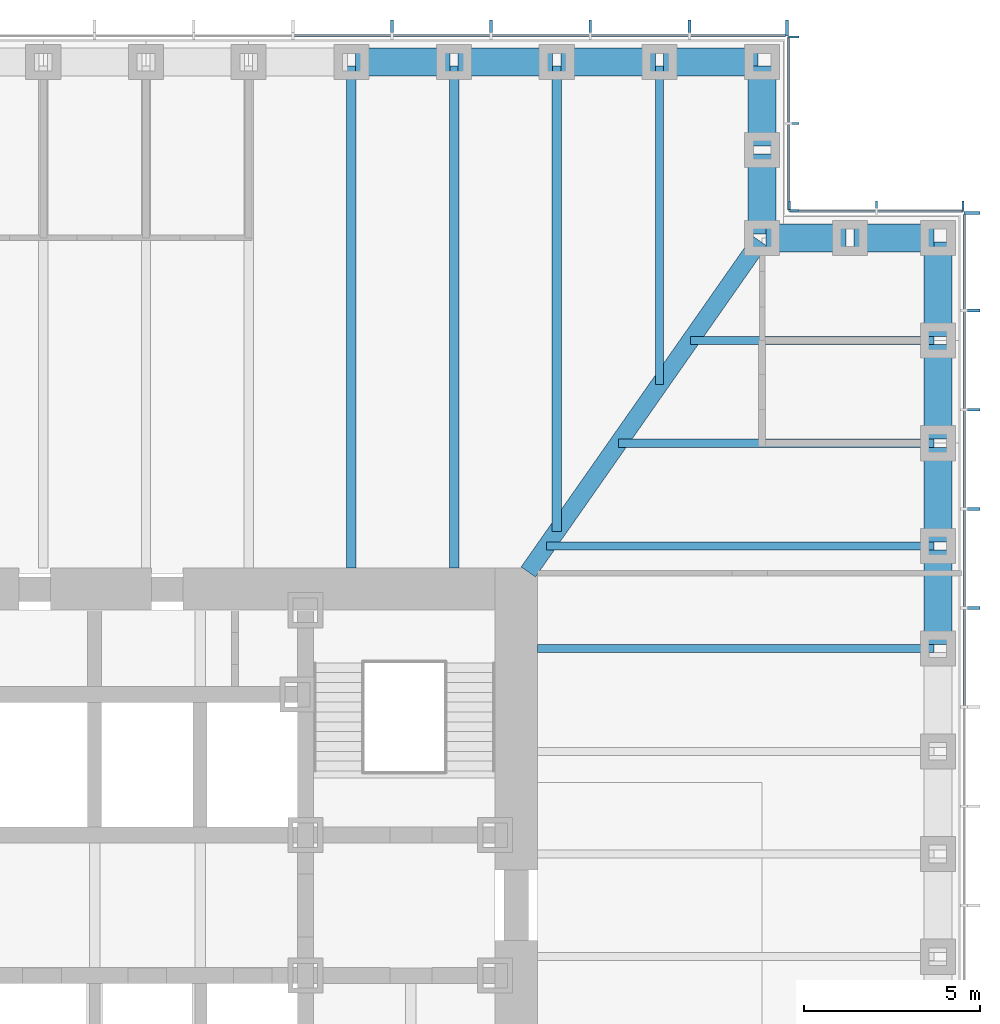
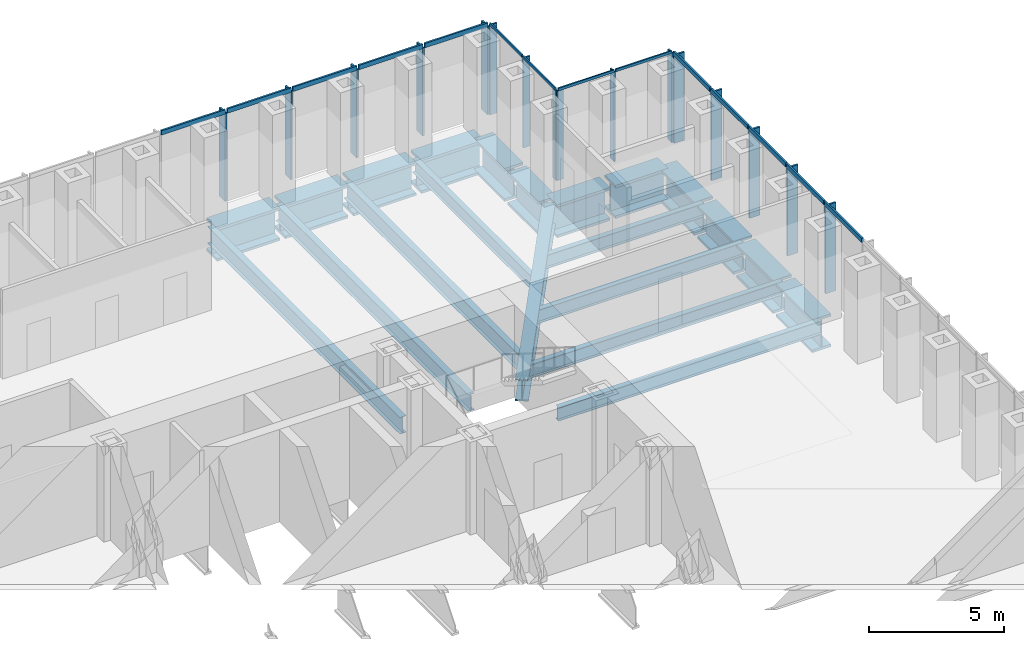
# One storey, part 6 of 16: 30 members, 21 beams, 4 elements without a shape of their own.
"""IFC4 building model written with IfcOpenShell, lengths in metres."""

from ifc_helpers import new_model, si_unit, direction, frame, origin, origin_2d, place, context, subcontext, project, spatial, rectangle, i_section, extrude, material, material_profile, profile_set, type_object, element, aggregate, save


model = new_model("IFC4")

# Units and contexts
model_context = context("Model", 3, precision=1e-05, world=origin(), true_north=direction((0.0, 1.0)))
body_context = subcontext(model_context, "Body", "Model", "MODEL_VIEW")
ifc_project = project(units=[si_unit("LENGTHUNIT", "METRE"), si_unit("AREAUNIT", "SQUARE_METRE"), si_unit("VOLUMEUNIT", "CUBIC_METRE"), si_unit("PLANEANGLEUNIT", "RADIAN"), si_unit("MASSUNIT", "GRAM", prefix="KILO")], contexts=[model_context])

# Site, building, storey
site_placement = place(None, origin())
site = spatial("IfcSite", under=ifc_project, at=site_placement, CompositionType="ELEMENT")
building_placement = place(site_placement, origin())
building = spatial("IfcBuilding", under=site, at=building_placement, Name="Daluyong Arena Tower", CompositionType="ELEMENT")
storey_placement = place(building_placement, frame((0.0, 0.0, 47.5)))
storey = spatial("IfcBuildingStorey", under=building, at=storey_placement, Name="L09", CompositionType="ELEMENT", Elevation=47.5)

# Curtain wall, members
ifc_material_1 = material(Name="Bronze anodised aluminium and glass", Category="aluminium")
curtain_wall_type_1 = type_object("IfcCurtainWallType", Name="Curtain wall CW1", PredefinedType="USERDEFINED", material=ifc_material_1)
curtain_wall_1_placement = place(storey_placement, origin())
curtain_wall_1 = element("IfcCurtainWall", 1, at=curtain_wall_1_placement, inside=storey, type_object=curtain_wall_type_1, Name="curtain wall L09 E", ObjectType="UNITISED CURTAIN WALL", PredefinedType="USERDEFINED")
ifc_material_2 = material(Name="Bronze anodised aluminium fin", Category="aluminium")
ifc_material_profile_1 = material_profile(ifc_material_2, rectangle(XDim=0.449951171875, YDim=0.080078125, at=origin_2d()))
ifc_profile_set_1 = profile_set([ifc_material_profile_1], Name="Bronze anodised aluminium fin")
member_type_1 = type_object("IfcMemberType", Name="CW1 bronze fin 450x80", PredefinedType="MULLION", material=ifc_profile_set_1)
member_1_placement = place(storey_placement, frame((80.97509765625, 88.46435546875, 0.0), z_axis=(0.0, 0.0, 1.0), x_axis=(-1.0, 0.0, 0.0)))
member_1 = element("IfcMember", 2, at=member_1_placement, type_object=member_type_1, Name="curtain wall L09 E fin 11", PredefinedType="MULLION", context=body_context, shape_type="SweptSolid", body=[
    extrude(rectangle(XDim=0.449951171875, YDim=0.080078125, at=origin_2d()), origin(), (0.0, 0.0, 1.0), 4.0),
])
member_2_placement = place(storey_placement, frame((80.97509765625, 91.28564453125, 0.0), z_axis=(0.0, 0.0, 1.0), x_axis=(-1.0, 0.0, 0.0)))
member_2 = element("IfcMember", 3, at=member_2_placement, type_object=member_type_1, Name="curtain wall L09 E fin 12", PredefinedType="MULLION", context=body_context, shape_type="SweptSolid", body=[
    extrude(rectangle(XDim=0.449951171875, YDim=0.080078125, at=origin_2d()), origin(), (0.0, 0.0, 1.0), 4.0),
])
member_3_placement = place(storey_placement, frame((80.97509765625, 94.107177734375, 0.0), z_axis=(0.0, 0.0, 1.0), x_axis=(-1.0, 0.0, 0.0)))
member_3 = element("IfcMember", 4, at=member_3_placement, type_object=member_type_1, Name="curtain wall L09 E fin 13", PredefinedType="MULLION", context=body_context, shape_type="SweptSolid", body=[
    extrude(rectangle(XDim=0.449951171875, YDim=0.080078125, at=origin_2d()), origin(), (0.0, 0.0, 1.0), 4.0),
])
member_4_placement = place(storey_placement, frame((80.97509765625, 96.928466796875, 0.0), z_axis=(0.0, 0.0, 1.0), x_axis=(-1.0, 0.0, 0.0)))
member_4 = element("IfcMember", 5, at=member_4_placement, type_object=member_type_1, Name="curtain wall L09 E fin 14", PredefinedType="MULLION", context=body_context, shape_type="SweptSolid", body=[
    extrude(rectangle(XDim=0.449951171875, YDim=0.080078125, at=origin_2d()), origin(), (0.0, 0.0, 1.0), 4.0),
])
member_5_placement = place(storey_placement, frame((80.97509765625, 99.7099609375, 0.0), z_axis=(0.0, 0.0, 1.0), x_axis=(-1.0, 0.0, 0.0)))
member_5 = element("IfcMember", 6, at=member_5_placement, type_object=member_type_1, Name="curtain wall L09 E fin 15", PredefinedType="MULLION", context=body_context, shape_type="SweptSolid", body=[
    extrude(rectangle(XDim=0.449951171875, YDim=0.080078125, at=origin_2d()), origin(), (0.0, 0.0, 1.0), 4.0),
])

curtain_wall_2_placement = place(storey_placement, origin())
curtain_wall_2 = element("IfcCurtainWall", 7, at=curtain_wall_2_placement, inside=storey, type_object=curtain_wall_type_1, Name="curtain wall L09 N", ObjectType="UNITISED CURTAIN WALL", PredefinedType="USERDEFINED")
member_6_placement = place(storey_placement, frame((75.7099609375, 104.97509765625, 0.0), z_axis=(0.0, 0.0, 1.0), x_axis=(0.0, -1.0, 0.0)))
member_6 = element("IfcMember", 8, at=member_6_placement, type_object=member_type_1, Name="curtain wall L09 N fin 1", PredefinedType="MULLION", context=body_context, shape_type="SweptSolid", body=[
    extrude(rectangle(XDim=0.449951171875, YDim=0.080078125, at=origin_2d()), origin(), (0.0, 0.0, 1.0), 4.0),
])
member_7_placement = place(storey_placement, frame((72.928466796875, 104.97509765625, 0.0), z_axis=(0.0, 0.0, 1.0), x_axis=(0.0, -1.0, 0.0)))
member_7 = element("IfcMember", 9, at=member_7_placement, type_object=member_type_1, Name="curtain wall L09 N fin 2", PredefinedType="MULLION", context=body_context, shape_type="SweptSolid", body=[
    extrude(rectangle(XDim=0.449951171875, YDim=0.080078125, at=origin_2d()), origin(), (0.0, 0.0, 1.0), 4.0),
])
member_8_placement = place(storey_placement, frame((70.107177734375, 104.97509765625, 0.0), z_axis=(0.0, 0.0, 1.0), x_axis=(0.0, -1.0, 0.0)))
member_8 = element("IfcMember", 10, at=member_8_placement, type_object=member_type_1, Name="curtain wall L09 N fin 3", PredefinedType="MULLION", context=body_context, shape_type="SweptSolid", body=[
    extrude(rectangle(XDim=0.449951171875, YDim=0.080078125, at=origin_2d()), origin(), (0.0, 0.0, 1.0), 4.0),
])
member_9_placement = place(storey_placement, frame((67.28564453125, 104.97509765625, 0.0), z_axis=(0.0, 0.0, 1.0), x_axis=(0.0, -1.0, 0.0)))
member_9 = element("IfcMember", 11, at=member_9_placement, type_object=member_type_1, Name="curtain wall L09 N fin 4", PredefinedType="MULLION", context=body_context, shape_type="SweptSolid", body=[
    extrude(rectangle(XDim=0.449951171875, YDim=0.080078125, at=origin_2d()), origin(), (0.0, 0.0, 1.0), 4.0),
])
member_10_placement = place(storey_placement, frame((64.46435546875, 104.97509765625, 0.0), z_axis=(0.0, 0.0, 1.0), x_axis=(0.0, -1.0, 0.0)))
member_10 = element("IfcMember", 12, at=member_10_placement, type_object=member_type_1, Name="curtain wall L09 N fin 5", PredefinedType="MULLION", context=body_context, shape_type="SweptSolid", body=[
    extrude(rectangle(XDim=0.449951171875, YDim=0.080078125, at=origin_2d()), origin(), (0.0, 0.0, 1.0), 4.0),
])

# Member
ifc_material_3 = material(Name="Bronze anodised aluminium", Category="aluminium")
ifc_material_profile_2 = material_profile(ifc_material_3, rectangle(XDim=0.080078125, YDim=0.199951171875, at=origin_2d()))
ifc_profile_set_2 = profile_set([ifc_material_profile_2], Name="Bronze anodised aluminium")
member_type_2 = type_object("IfcMemberType", Name="CW1 stack transom 200x80", PredefinedType="USERDEFINED", material=ifc_profile_set_2)
member_11_placement = place(storey_placement, frame((80.75, 85.682861328125, 4.10009765625), z_axis=(0.0, 1.0, 0.0), x_axis=(-1.0, 0.0, 0.0)))
member_11 = element("IfcMember", 13, at=member_11_placement, type_object=member_type_2, Name="curtain wall L09 E transom 10", ObjectType="TRANSOM", PredefinedType="USERDEFINED", context=body_context, shape_type="SweptSolid", body=[
    extrude(rectangle(XDim=0.080078125, YDim=0.199951171875, at=origin_2d()), origin(), (0.0, 0.0, 1.0), 2.741455078125),
])

member_12_placement = place(storey_placement, frame((80.75, 88.50439453125, 4.10009765625), z_axis=(0.0, 1.0, 0.0), x_axis=(-1.0, 0.0, 0.0)))
member_12 = element("IfcMember", 14, at=member_12_placement, type_object=member_type_2, Name="curtain wall L09 E transom 11", ObjectType="TRANSOM", PredefinedType="USERDEFINED", context=body_context, shape_type="SweptSolid", body=[
    extrude(rectangle(XDim=0.080078125, YDim=0.199951171875, at=origin_2d()), origin(), (0.0, 0.0, 1.0), 2.7412109375),
])

member_13_placement = place(storey_placement, frame((80.75, 91.32568359375, 4.10009765625), z_axis=(0.0, 1.0, 0.0), x_axis=(-1.0, 0.0, 0.0)))
member_13 = element("IfcMember", 15, at=member_13_placement, type_object=member_type_2, Name="curtain wall L09 E transom 12", ObjectType="TRANSOM", PredefinedType="USERDEFINED", context=body_context, shape_type="SweptSolid", body=[
    extrude(rectangle(XDim=0.080078125, YDim=0.199951171875, at=origin_2d()), origin(), (0.0, 0.0, 1.0), 2.741455078125),
])

member_14_placement = place(storey_placement, frame((80.75, 94.147216796875, 4.10009765625), z_axis=(0.0, 1.0, 0.0), x_axis=(-1.0, 0.0, 0.0)))
member_14 = element("IfcMember", 16, at=member_14_placement, type_object=member_type_2, Name="curtain wall L09 E transom 13", ObjectType="TRANSOM", PredefinedType="USERDEFINED", context=body_context, shape_type="SweptSolid", body=[
    extrude(rectangle(XDim=0.080078125, YDim=0.199951171875, at=origin_2d()), origin(), (0.0, 0.0, 1.0), 2.741455078125),
])

member_15_placement = place(storey_placement, frame((80.75, 96.968505859375, 4.10009765625), z_axis=(0.0, 1.0, 0.0), x_axis=(-1.0, 0.0, 0.0)))
member_15 = element("IfcMember", 17, at=member_15_placement, type_object=member_type_2, Name="curtain wall L09 E transom 14", ObjectType="TRANSOM", PredefinedType="USERDEFINED", context=body_context, shape_type="SweptSolid", body=[
    extrude(rectangle(XDim=0.080078125, YDim=0.199951171875, at=origin_2d()), origin(), (0.0, 0.0, 1.0), 2.701416015625),
])

aggregate(curtain_wall_1, [member_1, member_2, member_3, member_4, member_5, member_11, member_12, member_13, member_14, member_15])

member_16_placement = place(storey_placement, frame((75.669921875, 104.75, 4.10009765625), z_axis=(-1.0, 0.0, 0.0), x_axis=(0.0, -1.0, 0.0)))
member_16 = element("IfcMember", 18, at=member_16_placement, type_object=member_type_2, Name="curtain wall L09 N transom 1", ObjectType="TRANSOM", PredefinedType="USERDEFINED", context=body_context, shape_type="SweptSolid", body=[
    extrude(rectangle(XDim=0.080078125, YDim=0.199951171875, at=origin_2d()), origin(), (0.0, 0.0, 1.0), 2.701416015625),
])

member_17_placement = place(storey_placement, frame((72.888671875, 104.75, 4.10009765625), z_axis=(-1.0, 0.0, 0.0), x_axis=(0.0, -1.0, 0.0)))
member_17 = element("IfcMember", 19, at=member_17_placement, type_object=member_type_2, Name="curtain wall L09 N transom 2", ObjectType="TRANSOM", PredefinedType="USERDEFINED", context=body_context, shape_type="SweptSolid", body=[
    extrude(rectangle(XDim=0.080078125, YDim=0.199951171875, at=origin_2d()), origin(), (0.0, 0.0, 1.0), 2.741455078125),
])

member_18_placement = place(storey_placement, frame((70.067138671875, 104.75, 4.10009765625), z_axis=(-1.0, 0.0, 0.0), x_axis=(0.0, -1.0, 0.0)))
member_18 = element("IfcMember", 20, at=member_18_placement, type_object=member_type_2, Name="curtain wall L09 N transom 3", ObjectType="TRANSOM", PredefinedType="USERDEFINED", context=body_context, shape_type="SweptSolid", body=[
    extrude(rectangle(XDim=0.080078125, YDim=0.199951171875, at=origin_2d()), origin(), (0.0, 0.0, 1.0), 2.741455078125),
])

member_19_placement = place(storey_placement, frame((67.24560546875, 104.75, 4.10009765625), z_axis=(-1.0, 0.0, 0.0), x_axis=(0.0, -1.0, 0.0)))
member_19 = element("IfcMember", 21, at=member_19_placement, type_object=member_type_2, Name="curtain wall L09 N transom 4", ObjectType="TRANSOM", PredefinedType="USERDEFINED", context=body_context, shape_type="SweptSolid", body=[
    extrude(rectangle(XDim=0.080078125, YDim=0.199951171875, at=origin_2d()), origin(), (0.0, 0.0, 1.0), 2.7412109375),
])

member_20_placement = place(storey_placement, frame((64.42431640625, 104.75, 4.10009765625), z_axis=(-1.0, 0.0, 0.0), x_axis=(0.0, -1.0, 0.0)))
member_20 = element("IfcMember", 22, at=member_20_placement, type_object=member_type_2, Name="curtain wall L09 N transom 5", ObjectType="TRANSOM", PredefinedType="USERDEFINED", context=body_context, shape_type="SweptSolid", body=[
    extrude(rectangle(XDim=0.080078125, YDim=0.199951171875, at=origin_2d()), origin(), (0.0, 0.0, 1.0), 2.741455078125),
])

aggregate(curtain_wall_2, [member_6, member_7, member_8, member_9, member_10, member_16, member_17, member_18, member_19, member_20])

# Curtain wall, members
ifc_material_4 = material(Name="Bronze anodised aluminium and glass", Category="aluminium")
curtain_wall_type_2 = type_object("IfcCurtainWallType", Name="Curtain wall CW7", PredefinedType="USERDEFINED", material=ifc_material_4)
curtain_wall_3_placement = place(storey_placement, origin())
curtain_wall_3 = element("IfcCurtainWall", 23, at=curtain_wall_3_placement, inside=storey, type_object=curtain_wall_type_2, Name="curtain wall L09 NE-N", ObjectType="UNITISED CURTAIN WALL", PredefinedType="USERDEFINED")
ifc_material_5 = material(Name="Bronze anodised aluminium fin", Category="aluminium")
ifc_material_profile_3 = material_profile(ifc_material_5, rectangle(XDim=0.300048828125, YDim=0.06005859375, at=origin_2d()))
ifc_profile_set_3 = profile_set([ifc_material_profile_3], Name="Bronze anodised aluminium fin")
member_type_3 = type_object("IfcMemberType", Name="CW7 bronze fin 300x60", PredefinedType="MULLION", material=ifc_profile_set_3)
member_21_placement = place(storey_placement, frame((80.719970703125, 99.89990234375, 0.0), z_axis=(0.0, 0.0, 1.0), x_axis=(0.0, -1.0, 0.0)))
member_21 = element("IfcMember", 24, at=member_21_placement, type_object=member_type_3, Name="curtain wall L09 NE-N fin 1", PredefinedType="MULLION", context=body_context, shape_type="SweptSolid", body=[
    extrude(rectangle(XDim=0.300048828125, YDim=0.06005859375, at=origin_2d()), origin(), (0.0, 0.0, 1.0), 4.080078125),
])
member_22_placement = place(storey_placement, frame((78.25, 99.89990234375, 0.0), z_axis=(0.0, 0.0, 1.0), x_axis=(0.0, -1.0, 0.0)))
member_22 = element("IfcMember", 25, at=member_22_placement, type_object=member_type_3, Name="curtain wall L09 NE-N fin 2", PredefinedType="MULLION", context=body_context, shape_type="SweptSolid", body=[
    extrude(rectangle(XDim=0.300048828125, YDim=0.06005859375, at=origin_2d()), origin(), (0.0, 0.0, 1.0), 4.080078125),
])
member_23_placement = place(storey_placement, frame((75.780029296875, 99.89990234375, 0.0), z_axis=(0.0, 0.0, 1.0), x_axis=(0.0, -1.0, 0.0)))
member_23 = element("IfcMember", 26, at=member_23_placement, type_object=member_type_3, Name="curtain wall L09 NE-N fin 3", PredefinedType="MULLION", context=body_context, shape_type="SweptSolid", body=[
    extrude(rectangle(XDim=0.300048828125, YDim=0.06005859375, at=origin_2d()), origin(), (0.0, 0.0, 1.0), 4.080078125),
])

curtain_wall_4_placement = place(storey_placement, origin())
curtain_wall_4 = element("IfcCurtainWall", 27, at=curtain_wall_4_placement, inside=storey, type_object=curtain_wall_type_2, Name="curtain wall L09 NE-E", ObjectType="UNITISED CURTAIN WALL", PredefinedType="USERDEFINED")
member_24_placement = place(storey_placement, frame((75.89990234375, 99.780029296875, 0.0), z_axis=(0.0, 0.0, 1.0), x_axis=(-1.0, 0.0, 0.0)))
member_24 = element("IfcMember", 28, at=member_24_placement, type_object=member_type_3, Name="curtain wall L09 NE-E fin 1", PredefinedType="MULLION", context=body_context, shape_type="SweptSolid", body=[
    extrude(rectangle(XDim=0.300048828125, YDim=0.06005859375, at=origin_2d()), origin(), (0.0, 0.0, 1.0), 4.080078125),
])
member_25_placement = place(storey_placement, frame((75.89990234375, 102.25, 0.0), z_axis=(0.0, 0.0, 1.0), x_axis=(-1.0, 0.0, 0.0)))
member_25 = element("IfcMember", 29, at=member_25_placement, type_object=member_type_3, Name="curtain wall L09 NE-E fin 2", PredefinedType="MULLION", context=body_context, shape_type="SweptSolid", body=[
    extrude(rectangle(XDim=0.300048828125, YDim=0.06005859375, at=origin_2d()), origin(), (0.0, 0.0, 1.0), 4.080078125),
])
member_26_placement = place(storey_placement, frame((75.89990234375, 104.719970703125, 0.0), z_axis=(0.0, 0.0, 1.0), x_axis=(-1.0, 0.0, 0.0)))
member_26 = element("IfcMember", 30, at=member_26_placement, type_object=member_type_3, Name="curtain wall L09 NE-E fin 3", PredefinedType="MULLION", context=body_context, shape_type="SweptSolid", body=[
    extrude(rectangle(XDim=0.300048828125, YDim=0.06005859375, at=origin_2d()), origin(), (0.0, 0.0, 1.0), 4.080078125),
])

# Member
ifc_material_6 = material(Name="Bronze anodised aluminium", Category="aluminium")
ifc_material_profile_4 = material_profile(ifc_material_6, rectangle(XDim=0.06005859375, YDim=0.1201171875, at=origin_2d()))
ifc_profile_set_4 = profile_set([ifc_material_profile_4], Name="Bronze anodised aluminium")
member_type_4 = type_object("IfcMemberType", Name="CW7 stack transom 120x60", PredefinedType="USERDEFINED", material=ifc_profile_set_4)
member_27_placement = place(storey_placement, frame((80.68994140625, 99.75, 4.139892578125), z_axis=(-1.0, 0.0, 0.0), x_axis=(0.0, -1.0, 0.0)))
member_27 = element("IfcMember", 31, at=member_27_placement, type_object=member_type_4, Name="curtain wall L09 NE-N transom 1", ObjectType="TRANSOM", PredefinedType="USERDEFINED", context=body_context, shape_type="SweptSolid", body=[
    extrude(rectangle(XDim=0.06005859375, YDim=0.1201171875, at=origin_2d()), origin(), (0.0, 0.0, 1.0), 2.409912109375),
])

member_28_placement = place(storey_placement, frame((78.219970703125, 99.75, 4.139892578125), z_axis=(-1.0, 0.0, 0.0), x_axis=(0.0, -1.0, 0.0)))
member_28 = element("IfcMember", 32, at=member_28_placement, type_object=member_type_4, Name="curtain wall L09 NE-N transom 2", ObjectType="TRANSOM", PredefinedType="USERDEFINED", context=body_context, shape_type="SweptSolid", body=[
    extrude(rectangle(XDim=0.06005859375, YDim=0.1201171875, at=origin_2d()), origin(), (0.0, 0.0, 1.0), 2.409912109375),
])

aggregate(curtain_wall_3, [member_21, member_22, member_23, member_27, member_28])

member_29_placement = place(storey_placement, frame((75.75, 99.81005859375, 4.139892578125), z_axis=(0.0, 1.0, 0.0), x_axis=(-1.0, 0.0, 0.0)))
member_29 = element("IfcMember", 33, at=member_29_placement, type_object=member_type_4, Name="curtain wall L09 NE-E transom 1", ObjectType="TRANSOM", PredefinedType="USERDEFINED", context=body_context, shape_type="SweptSolid", body=[
    extrude(rectangle(XDim=0.06005859375, YDim=0.1201171875, at=origin_2d()), origin(), (0.0, 0.0, 1.0), 2.409912109375),
])

member_30_placement = place(storey_placement, frame((75.75, 102.280029296875, 4.139892578125), z_axis=(0.0, 1.0, 0.0), x_axis=(-1.0, 0.0, 0.0)))
member_30 = element("IfcMember", 34, at=member_30_placement, type_object=member_type_4, Name="curtain wall L09 NE-E transom 2", ObjectType="TRANSOM", PredefinedType="USERDEFINED", context=body_context, shape_type="SweptSolid", body=[
    extrude(rectangle(XDim=0.06005859375, YDim=0.1201171875, at=origin_2d()), origin(), (0.0, 0.0, 1.0), 2.409912109375),
])

aggregate(curtain_wall_4, [member_24, member_25, member_26, member_29, member_30])

# Beams
ifc_material_7 = material(Name="Steel ASTM A572 Grade 50", Category="steel")
ifc_material_profile_5 = material_profile(ifc_material_7, i_section(OverallWidth=0.5, OverallDepth=1.0, WebThickness=0.03, FlangeThickness=0.06, at=origin_2d()))
ifc_profile_set_5 = profile_set([ifc_material_profile_5], Name="Steel ASTM A572 Grade 50")
beam_type_1 = type_object("IfcBeamType", Name="Corner girder TB1000X500", PredefinedType="BEAM", material=ifc_profile_set_5)
beam_1_placement = place(storey_placement, frame((74.93408203125, 98.90576171875, -0.659912109375), z_axis=(-0.573466621875, -0.819228926244, 0.0), x_axis=(0.819228926244, -0.573466621875, 0.0)))
element("IfcBeam", 35, at=beam_1_placement, inside=storey, type_object=beam_type_1, Name="corner girder DG2", PredefinedType="BEAM", context=body_context, shape_type="SweptSolid", body=[
    extrude(i_section(OverallWidth=0.5, OverallDepth=1.0, WebThickness=0.03, FlangeThickness=0.06, at=origin_2d()), origin(), (0.0, 0.0, 1.0), 11.49169921875),
])
ifc_material_8 = material(Name="Steel ASTM A992 Grade 50", Category="steel")
ifc_material_profile_6 = material_profile(ifc_material_8, i_section(OverallWidth=0.22900390625, OverallDepth=0.612060546875, WebThickness=0.011962890625, FlangeThickness=0.01953125, at=origin_2d()))
ifc_profile_set_6 = profile_set([ifc_material_profile_6], Name="Steel ASTM A992 Grade 50")
beam_type_2 = type_object("IfcBeamType", Name="Floor beam W24X84", PredefinedType="BEAM", material=ifc_profile_set_6)
beam_2_placement = place(storey_placement, frame((79.885009765625, 87.3076171875, -0.466064453125), z_axis=(-1.0, 0.0, 0.0), x_axis=(0.0, -1.0, 0.0)))
element("IfcBeam", 36, at=beam_2_placement, inside=storey, type_object=beam_type_2, Name="floor beam FB3", PredefinedType="BEAM", context=body_context, shape_type="SweptSolid", body=[
    extrude(i_section(OverallWidth=0.22900390625, OverallDepth=0.612060546875, WebThickness=0.011962890625, FlangeThickness=0.01953125, at=origin_2d()), origin(), (0.0, 0.0, 1.0), 11.284912109375),
])
beam_3_placement = place(storey_placement, frame((79.885009765625, 90.230712890625, -0.466064453125), z_axis=(-1.0, 0.0, 0.0), x_axis=(0.0, -1.0, 0.0)))
element("IfcBeam", 37, at=beam_3_placement, inside=storey, type_object=beam_type_2, Name="floor beam FB3", PredefinedType="BEAM", context=body_context, shape_type="SweptSolid", body=[
    extrude(i_section(OverallWidth=0.22900390625, OverallDepth=0.612060546875, WebThickness=0.011962890625, FlangeThickness=0.01953125, at=origin_2d()), origin(), (0.0, 0.0, 1.0), 11.0234375),
])
beam_4_placement = place(storey_placement, frame((79.885009765625, 93.15380859375, -0.466064453125), z_axis=(-1.0, 0.0, 0.0), x_axis=(0.0, -1.0, 0.0)))
element("IfcBeam", 38, at=beam_4_placement, inside=storey, type_object=beam_type_2, Name="floor beam FB3", PredefinedType="BEAM", context=body_context, shape_type="SweptSolid", body=[
    extrude(i_section(OverallWidth=0.22900390625, OverallDepth=0.612060546875, WebThickness=0.011962890625, FlangeThickness=0.01953125, at=origin_2d()), origin(), (0.0, 0.0, 1.0), 8.977294921875),
])
beam_5_placement = place(storey_placement, frame((79.885009765625, 96.076904296875, -0.466064453125), z_axis=(-1.0, 0.0, 0.0), x_axis=(0.0, -1.0, 0.0)))
element("IfcBeam", 39, at=beam_5_placement, inside=storey, type_object=beam_type_2, Name="floor beam FB3", PredefinedType="BEAM", context=body_context, shape_type="SweptSolid", body=[
    extrude(i_section(OverallWidth=0.22900390625, OverallDepth=0.612060546875, WebThickness=0.011962890625, FlangeThickness=0.01953125, at=origin_2d()), origin(), (0.0, 0.0, 1.0), 6.93115234375),
])
beam_6_placement = place(storey_placement, frame((72.076904296875, 103.885009765625, -0.466064453125), z_axis=(0.0, -1.0, 0.0), x_axis=(1.0, 0.0, 0.0)))
element("IfcBeam", 40, at=beam_6_placement, inside=storey, type_object=beam_type_2, Name="floor beam FB3", PredefinedType="BEAM", context=body_context, shape_type="SweptSolid", body=[
    extrude(i_section(OverallWidth=0.22900390625, OverallDepth=0.612060546875, WebThickness=0.011962890625, FlangeThickness=0.01953125, at=origin_2d()), origin(), (0.0, 0.0, 1.0), 9.060791015625),
])
ifc_material_9 = material(Name="Steel ASTM A992 Grade 50", Category="steel")
ifc_material_profile_7 = material_profile(ifc_material_9, i_section(OverallWidth=0.2666015625, OverallDepth=0.761962890625, WebThickness=0.014404296875, FlangeThickness=0.021484375, at=origin_2d()))
ifc_profile_set_7 = profile_set([ifc_material_profile_7], Name="Steel ASTM A992 Grade 50")
beam_type_3 = type_object("IfcBeamType", Name="Floor beam W30X116", PredefinedType="BEAM", material=ifc_profile_set_7)
beam_7_placement = place(storey_placement, frame((69.15380859375, 103.885009765625, -0.541015625), z_axis=(0.0, -1.0, 0.0), x_axis=(1.0, 0.0, 0.0)))
element("IfcBeam", 41, at=beam_7_placement, inside=storey, type_object=beam_type_3, Name="floor beam FB4", PredefinedType="BEAM", context=body_context, shape_type="SweptSolid", body=[
    extrude(i_section(OverallWidth=0.2666015625, OverallDepth=0.761962890625, WebThickness=0.014404296875, FlangeThickness=0.021484375, at=origin_2d()), origin(), (0.0, 0.0, 1.0), 13.236572265625),
])
for number, where, z_axis, x_axis, name in (
    (42, (66.230712890625, 103.885009765625, -0.541015625), (0.0, -1.0, 0.0), (1.0, 0.0, 0.0), "floor beam FB4"),
    (43, (63.3076171875, 103.885009765625, -0.541015625), (0.0, -1.0, 0.0), (1.0, 0.0, 0.0), "floor beam FB4"),
):
    element("IfcBeam", number, at=place(storey_placement, frame(where, z_axis=z_axis, x_axis=x_axis)), inside=storey, type_object=beam_type_3, Name=name, PredefinedType="BEAM", context=body_context, shape_type="SweptSolid", body=[
        extrude(i_section(OverallWidth=0.2666015625, OverallDepth=0.761962890625, WebThickness=0.014404296875, FlangeThickness=0.021484375, at=origin_2d()), origin(), (0.0, 0.0, 1.0), 14.284912109375),
    ])
ifc_material_10 = material(Name="Steel ASTM A588 Grade 50", Category="steel")
ifc_material_profile_8 = material_profile(ifc_material_10, i_section(OverallWidth=0.800048828125, OverallDepth=1.5, WebThickness=0.05, FlangeThickness=0.12, at=origin_2d()))
ifc_profile_set_8 = profile_set([ifc_material_profile_8], Name="Steel ASTM A588 Grade 50")
beam_type_4 = type_object("IfcBeamType", Name="Spandrel Z1 PG1500X800", PredefinedType="SPANDREL", material=ifc_profile_set_8)
for number, where, z_axis, x_axis, name in (
    (44, (80.0, 87.422607421875, -0.909912109375), (0.0, 1.0, 0.0), (-1.0, 0.0, 0.0), "spandrel z1 SB3"),
    (45, (80.0, 90.345703125, -0.909912109375), (0.0, 1.0, 0.0), (-1.0, 0.0, 0.0), "spandrel z1 SB3"),
    (46, (80.0, 93.268798828125, -0.909912109375), (0.0, 1.0, 0.0), (-1.0, 0.0, 0.0), "spandrel z1 SB3"),
    (47, (80.0, 96.19189453125, -0.909912109375), (0.0, 1.0, 0.0), (-1.0, 0.0, 0.0), "spandrel z1 SB3"),
):
    element("IfcBeam", number, at=place(storey_placement, frame(where, z_axis=z_axis, x_axis=x_axis)), inside=storey, type_object=beam_type_4, Name=name, PredefinedType="SPANDREL", context=body_context, shape_type="SweptSolid", body=[
        extrude(i_section(OverallWidth=0.800048828125, OverallDepth=1.5, WebThickness=0.05, FlangeThickness=0.12, at=origin_2d()), origin(), (0.0, 0.0, 1.0), 2.693115234375),
    ])
for number, where, z_axis, x_axis, name in (
    (48, (79.885009765625, 99.0, -0.909912109375), (-1.0, 0.0, 0.0), (0.0, -1.0, 0.0), "spandrel z1 SB3"),
    (49, (77.385009765625, 99.0, -0.909912109375), (-1.0, 0.0, 0.0), (0.0, -1.0, 0.0), "spandrel z1 SB3"),
    (50, (75.0, 99.114990234375, -0.909912109375), (0.0, 1.0, 0.0), (-1.0, 0.0, 0.0), "spandrel z1 SB3"),
    (51, (75.0, 101.614990234375, -0.909912109375), (0.0, 1.0, 0.0), (-1.0, 0.0, 0.0), "spandrel z1 SB3"),
):
    element("IfcBeam", number, at=place(storey_placement, frame(where, z_axis=z_axis, x_axis=x_axis)), inside=storey, type_object=beam_type_4, Name=name, PredefinedType="SPANDREL", context=body_context, shape_type="SweptSolid", body=[
        extrude(i_section(OverallWidth=0.800048828125, OverallDepth=1.5, WebThickness=0.05, FlangeThickness=0.12, at=origin_2d()), origin(), (0.0, 0.0, 1.0), 2.27001953125),
    ])
for number, where, z_axis, x_axis, name in (
    (52, (74.885009765625, 104.0, -0.909912109375), (-1.0, 0.0, 0.0), (0.0, -1.0, 0.0), "spandrel z1 SB3"),
    (53, (71.9619140625, 104.0, -0.909912109375), (-1.0, 0.0, 0.0), (0.0, -1.0, 0.0), "spandrel z1 SB3"),
    (54, (69.038818359375, 104.0, -0.909912109375), (-1.0, 0.0, 0.0), (0.0, -1.0, 0.0), "spandrel z1 SB3"),
    (55, (66.11572265625, 104.0, -0.909912109375), (-1.0, 0.0, 0.0), (0.0, -1.0, 0.0), "spandrel z1 SB3"),
):
    element("IfcBeam", number, at=place(storey_placement, frame(where, z_axis=z_axis, x_axis=x_axis)), inside=storey, type_object=beam_type_4, Name=name, PredefinedType="SPANDREL", context=body_context, shape_type="SweptSolid", body=[
        extrude(i_section(OverallWidth=0.800048828125, OverallDepth=1.5, WebThickness=0.05, FlangeThickness=0.12, at=origin_2d()), origin(), (0.0, 0.0, 1.0), 2.693115234375),
    ])

save(model, "model.ifc")
